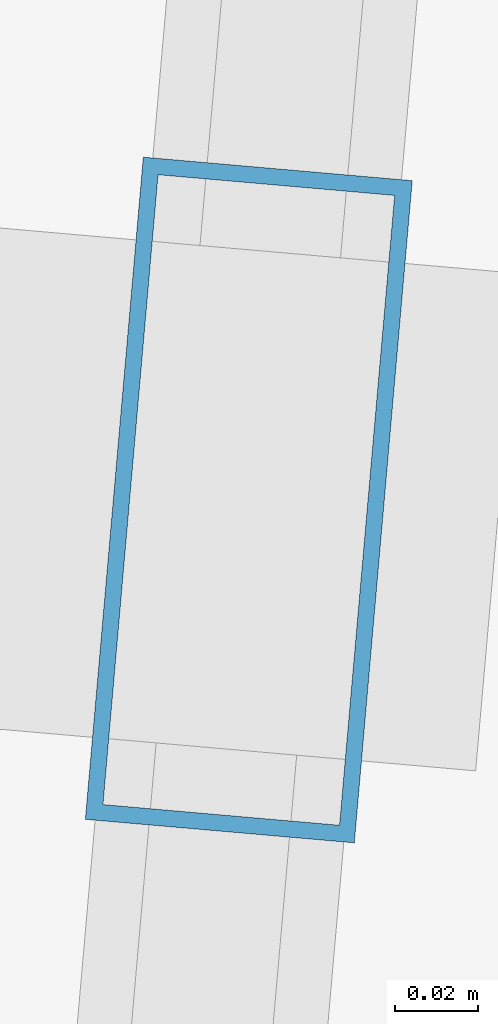
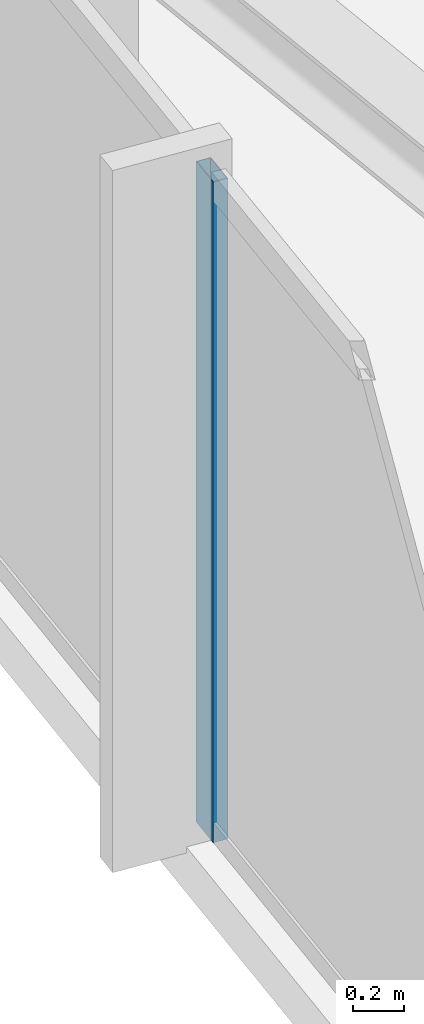
# One storey, part 5 of 32: 1 member, 1 element without a shape of its own.
"""IFC4 building model written with IfcOpenShell, lengths in metres."""

from ifc_helpers import new_model, si_unit, direction, frame, origin, origin_2d, place, context, subcontext, project, spatial, hollow_rectangle, extrude, material, material_profile, profile_set, type_object, element, aggregate, save


model = new_model("IFC4")

# Units and contexts
model_context = context("Model", 3, precision=1e-05, world=origin(), true_north=direction((0.0, 1.0)))
body_context = subcontext(model_context, "Body", "Model", "MODEL_VIEW")
ifc_project = project(units=[si_unit("LENGTHUNIT", "METRE"), si_unit("AREAUNIT", "SQUARE_METRE"), si_unit("VOLUMEUNIT", "CUBIC_METRE"), si_unit("PLANEANGLEUNIT", "RADIAN"), si_unit("MASSUNIT", "GRAM", prefix="KILO")], contexts=[model_context])

# Site, building, storey
site_placement = place(None, origin())
site = spatial("IfcSite", under=ifc_project, at=site_placement, CompositionType="ELEMENT")
building_placement = place(site_placement, origin())
building = spatial("IfcBuilding", under=site, at=building_placement, Name="Yelkora Congress Tower", CompositionType="ELEMENT")
storey_placement = place(building_placement, frame((0.0, 0.0, 276.10009765625)))
storey = spatial("IfcBuildingStorey", under=building, at=storey_placement, Name="L77", CompositionType="ELEMENT", Elevation=276.10009765625)

# Curtain wall, member
ifc_material_1 = material(Name="Anodised aluminium and insulated glass", Category="aluminium")
curtain_wall_type = type_object("IfcCurtainWallType", Name="CW-SYS-B5", PredefinedType="NOTDEFINED", material=ifc_material_1)
curtain_wall_placement = place(storey_placement, origin())
curtain_wall = element("IfcCurtainWall", 1, at=curtain_wall_placement, inside=storey, type_object=curtain_wall_type, Name="L77 Unitised Curtain Wall 5", PredefinedType="NOTDEFINED")
ifc_material_2 = material(Name="Anodised aluminium 6063-T6", Category="aluminium")
ifc_material_profile = material_profile(ifc_material_2, hollow_rectangle(XDim=0.06494140625, YDim=0.159912109375, WallThickness=0.00390625, at=origin_2d()), Name="ALU 65x160x4")
ifc_profile_set = profile_set([ifc_material_profile], Name="Anodised aluminium 6063-T6")
member_type = type_object("IfcMemberType", Name="MEM-ML-B5", PredefinedType="MULLION", material=ifc_profile_set)
member_placement = place(storey_placement, frame((6.313720703125, 28.49658203125, 0.0), z_axis=(0.0, 0.0, 1.0), x_axis=(-0.996194785929, 0.08715473876, 0.0)))
member = element("IfcMember", 2, at=member_placement, type_object=member_type, Name="CW-B5 mullion 2", PredefinedType="MULLION", context=body_context, shape_type="SweptSolid", body=[
    extrude(hollow_rectangle(XDim=0.06494140625, YDim=0.159912109375, WallThickness=0.00390625, at=origin_2d()), origin(), (0.0, 0.0, 1.0), 3.179931640625),
])
aggregate(curtain_wall, [member])

save(model, "model.ifc")
